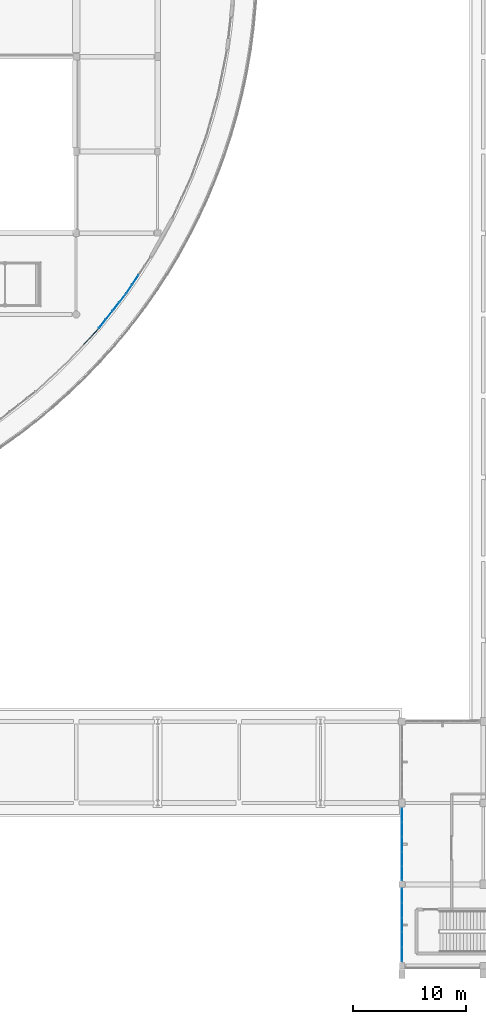
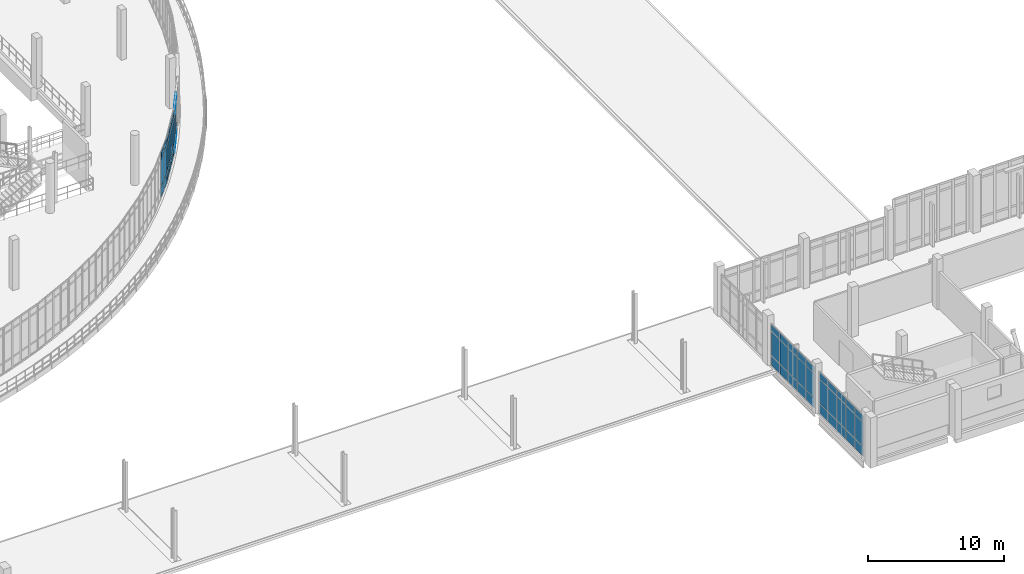
# One storey, part 98 of 134: 54 plates, 5 elements without a shape of their own.
"""IFC4 building model written with IfcOpenShell, lengths in metres."""

from ifc_helpers import new_model, si_unit, direction, frame, origin, origin_2d, place, context, subcontext, project, spatial, rectangle, extrude, material, layer, layer_set, type_object, element, aggregate, save


model = new_model("IFC4")

# Units and contexts
model_context = context("Model", 3, precision=1e-05, world=origin(), true_north=direction((0.0, 1.0)))
body_context = subcontext(model_context, "Body", "Model", "MODEL_VIEW")
ifc_project = project(units=[si_unit("LENGTHUNIT", "METRE"), si_unit("AREAUNIT", "SQUARE_METRE"), si_unit("VOLUMEUNIT", "CUBIC_METRE"), si_unit("PLANEANGLEUNIT", "RADIAN"), si_unit("MASSUNIT", "GRAM", prefix="KILO")], contexts=[model_context])

# Site, building, storey
site_placement = place(None, origin())
site = spatial("IfcSite", under=ifc_project, at=site_placement, CompositionType="ELEMENT")
building_placement = place(site_placement, origin())
building = spatial("IfcBuilding", under=site, at=building_placement, Name="Kalluvel Institute of Natural Sciences", CompositionType="ELEMENT")
storey_placement = place(building_placement, frame((0.0, 0.0, 5.39990234375)))
storey = spatial("IfcBuildingStorey", under=building, at=storey_placement, Name="L01", CompositionType="ELEMENT", Elevation=5.39990234375)

# Curtain wall, plates
ifc_material_1 = material(Name="Aluminium AW-6063 T6", Category="aluminium")
curtain_wall_type_1 = type_object("IfcCurtainWallType", Name="CW-SPAV-45", PredefinedType="USERDEFINED", material=ifc_material_1)
curtain_wall_1_placement = place(storey_placement, origin())
curtain_wall_1 = element("IfcCurtainWall", 1, at=curtain_wall_1_placement, inside=storey, type_object=curtain_wall_type_1, Name="L01 Gothic lancet curtain wall CWA-L01-X1004-Y144", ObjectType="UNITISED LANCET FACADE", PredefinedType="USERDEFINED")
ifc_material_2 = material(Name="Solar-Control Low-E Laminated Glass", Category="glass")
ifc_layer_1 = layer(ifc_material_2, 0.028076171875)
ifc_layer_set_1 = layer_set([ifc_layer_1], Name="Solar-Control Low-E Laminated Glass")
plate_type_1 = type_object("IfcPlateType", Name="CWP-DGU-28", PredefinedType="CURTAIN_PANEL", material=ifc_layer_set_1)
plate_1_placement = place(storey_placement, frame((100.39990234375, 15.018798828125, 0.065185546875), z_axis=(0.0, 0.0, 1.0), x_axis=(0.0, 1.0, 0.0)))
plate_1 = element("IfcPlate", 2, at=plate_1_placement, type_object=plate_type_1, Name="CW-10 panel 1.1", PredefinedType="CURTAIN_PANEL", context=body_context, shape_type="SweptSolid", body=[
    extrude(rectangle(XDim=1.20751953125, YDim=0.028076171875, at=origin_2d()), origin(), (0.0, 0.0, 1.0), 0.8525390625),
])
plate_2_placement = place(storey_placement, frame((100.39990234375, 15.018798828125, 0.982421875), z_axis=(0.0, 0.0, 1.0), x_axis=(0.0, 1.0, 0.0)))
plate_2 = element("IfcPlate", 3, at=plate_2_placement, type_object=plate_type_1, Name="CW-10 panel 1.2", PredefinedType="CURTAIN_PANEL", context=body_context, shape_type="SweptSolid", body=[
    extrude(rectangle(XDim=1.20751953125, YDim=0.028076171875, at=origin_2d()), origin(), (0.0, 0.0, 1.0), 2.135009765625),
])
plate_3_placement = place(storey_placement, frame((100.39990234375, 15.018798828125, 3.1826171875), z_axis=(0.0, 0.0, 1.0), x_axis=(0.0, 1.0, 0.0)))
plate_3 = element("IfcPlate", 4, at=plate_3_placement, type_object=plate_type_1, Name="CW-10 panel 1.3", PredefinedType="CURTAIN_PANEL", context=body_context, shape_type="SweptSolid", body=[
    extrude(rectangle(XDim=1.20751953125, YDim=0.028076171875, at=origin_2d()), origin(), (0.0, 0.0, 1.0), 0.552490234375),
])
plate_4_placement = place(storey_placement, frame((100.39990234375, 16.3076171875, 0.065185546875), z_axis=(0.0, 0.0, 1.0), x_axis=(0.0, 1.0, 0.0)))
plate_4 = element("IfcPlate", 5, at=plate_4_placement, type_object=plate_type_1, Name="CW-10 panel 2.1", PredefinedType="CURTAIN_PANEL", context=body_context, shape_type="SweptSolid", body=[
    extrude(rectangle(XDim=1.239990234375, YDim=0.028076171875, at=origin_2d()), origin(), (0.0, 0.0, 1.0), 0.8525390625),
])
plate_5_placement = place(storey_placement, frame((100.39990234375, 16.3076171875, 0.982421875), z_axis=(0.0, 0.0, 1.0), x_axis=(0.0, 1.0, 0.0)))
plate_5 = element("IfcPlate", 6, at=plate_5_placement, type_object=plate_type_1, Name="CW-10 panel 2.2", PredefinedType="CURTAIN_PANEL", context=body_context, shape_type="SweptSolid", body=[
    extrude(rectangle(XDim=1.239990234375, YDim=0.028076171875, at=origin_2d()), origin(), (0.0, 0.0, 1.0), 2.135009765625),
])
plate_6_placement = place(storey_placement, frame((100.39990234375, 16.3076171875, 3.1826171875), z_axis=(0.0, 0.0, 1.0), x_axis=(0.0, 1.0, 0.0)))
plate_6 = element("IfcPlate", 7, at=plate_6_placement, type_object=plate_type_1, Name="CW-10 panel 2.3", PredefinedType="CURTAIN_PANEL", context=body_context, shape_type="SweptSolid", body=[
    extrude(rectangle(XDim=1.239990234375, YDim=0.028076171875, at=origin_2d()), origin(), (0.0, 0.0, 1.0), 0.552490234375),
])
plate_7_placement = place(storey_placement, frame((100.39990234375, 17.612548828125, 0.065185546875), z_axis=(0.0, 0.0, 1.0), x_axis=(0.0, 1.0, 0.0)))
plate_7 = element("IfcPlate", 8, at=plate_7_placement, type_object=plate_type_1, Name="CW-10 panel 3.1", PredefinedType="CURTAIN_PANEL", context=body_context, shape_type="SweptSolid", body=[
    extrude(rectangle(XDim=1.239990234375, YDim=0.028076171875, at=origin_2d()), origin(), (0.0, 0.0, 1.0), 0.8525390625),
])
plate_8_placement = place(storey_placement, frame((100.39990234375, 17.612548828125, 0.982421875), z_axis=(0.0, 0.0, 1.0), x_axis=(0.0, 1.0, 0.0)))
plate_8 = element("IfcPlate", 9, at=plate_8_placement, type_object=plate_type_1, Name="CW-10 panel 3.2", PredefinedType="CURTAIN_PANEL", context=body_context, shape_type="SweptSolid", body=[
    extrude(rectangle(XDim=1.239990234375, YDim=0.028076171875, at=origin_2d()), origin(), (0.0, 0.0, 1.0), 2.135009765625),
])
plate_9_placement = place(storey_placement, frame((100.39990234375, 17.612548828125, 3.1826171875), z_axis=(0.0, 0.0, 1.0), x_axis=(0.0, 1.0, 0.0)))
plate_9 = element("IfcPlate", 10, at=plate_9_placement, type_object=plate_type_1, Name="CW-10 panel 3.3", PredefinedType="CURTAIN_PANEL", context=body_context, shape_type="SweptSolid", body=[
    extrude(rectangle(XDim=1.239990234375, YDim=0.028076171875, at=origin_2d()), origin(), (0.0, 0.0, 1.0), 0.552490234375),
])
plate_10_placement = place(storey_placement, frame((100.39990234375, 18.91748046875, 0.065185546875), z_axis=(0.0, 0.0, 1.0), x_axis=(0.0, 1.0, 0.0)))
plate_10 = element("IfcPlate", 11, at=plate_10_placement, type_object=plate_type_1, Name="CW-10 panel 4.1", PredefinedType="CURTAIN_PANEL", context=body_context, shape_type="SweptSolid", body=[
    extrude(rectangle(XDim=1.239990234375, YDim=0.028076171875, at=origin_2d()), origin(), (0.0, 0.0, 1.0), 0.8525390625),
])
plate_11_placement = place(storey_placement, frame((100.39990234375, 18.91748046875, 0.982421875), z_axis=(0.0, 0.0, 1.0), x_axis=(0.0, 1.0, 0.0)))
plate_11 = element("IfcPlate", 12, at=plate_11_placement, type_object=plate_type_1, Name="CW-10 panel 4.2", PredefinedType="CURTAIN_PANEL", context=body_context, shape_type="SweptSolid", body=[
    extrude(rectangle(XDim=1.239990234375, YDim=0.028076171875, at=origin_2d()), origin(), (0.0, 0.0, 1.0), 2.135009765625),
])
plate_12_placement = place(storey_placement, frame((100.39990234375, 18.91748046875, 3.1826171875), z_axis=(0.0, 0.0, 1.0), x_axis=(0.0, 1.0, 0.0)))
plate_12 = element("IfcPlate", 13, at=plate_12_placement, type_object=plate_type_1, Name="CW-10 panel 4.3", PredefinedType="CURTAIN_PANEL", context=body_context, shape_type="SweptSolid", body=[
    extrude(rectangle(XDim=1.239990234375, YDim=0.028076171875, at=origin_2d()), origin(), (0.0, 0.0, 1.0), 0.552490234375),
])
plate_13_placement = place(storey_placement, frame((100.39990234375, 20.206298828125, 0.065185546875), z_axis=(0.0, 0.0, 1.0), x_axis=(0.0, 1.0, 0.0)))
plate_13 = element("IfcPlate", 14, at=plate_13_placement, type_object=plate_type_1, Name="CW-10 panel 5.1", PredefinedType="CURTAIN_PANEL", context=body_context, shape_type="SweptSolid", body=[
    extrude(rectangle(XDim=1.20751953125, YDim=0.028076171875, at=origin_2d()), origin(), (0.0, 0.0, 1.0), 0.8525390625),
])
plate_14_placement = place(storey_placement, frame((100.39990234375, 20.206298828125, 0.982421875), z_axis=(0.0, 0.0, 1.0), x_axis=(0.0, 1.0, 0.0)))
plate_14 = element("IfcPlate", 15, at=plate_14_placement, type_object=plate_type_1, Name="CW-10 panel 5.2", PredefinedType="CURTAIN_PANEL", context=body_context, shape_type="SweptSolid", body=[
    extrude(rectangle(XDim=1.20751953125, YDim=0.028076171875, at=origin_2d()), origin(), (0.0, 0.0, 1.0), 2.135009765625),
])
plate_15_placement = place(storey_placement, frame((100.39990234375, 20.206298828125, 3.1826171875), z_axis=(0.0, 0.0, 1.0), x_axis=(0.0, 1.0, 0.0)))
plate_15 = element("IfcPlate", 16, at=plate_15_placement, type_object=plate_type_1, Name="CW-10 panel 5.3", PredefinedType="CURTAIN_PANEL", context=body_context, shape_type="SweptSolid", body=[
    extrude(rectangle(XDim=1.20751953125, YDim=0.028076171875, at=origin_2d()), origin(), (0.0, 0.0, 1.0), 0.552490234375),
])
aggregate(curtain_wall_1, [plate_1, plate_2, plate_3, plate_4, plate_5, plate_6, plate_7, plate_8, plate_9, plate_10, plate_11, plate_12, plate_13, plate_14, plate_15])

curtain_wall_2_placement = place(storey_placement, origin())
curtain_wall_2 = element("IfcCurtainWall", 17, at=curtain_wall_2_placement, inside=storey, type_object=curtain_wall_type_1, Name="L01 Gothic lancet curtain wall CWA-L01-X1004-Y215", ObjectType="UNITISED LANCET FACADE", PredefinedType="USERDEFINED")
plate_16_placement = place(storey_placement, frame((100.39990234375, 22.186279296875, 0.065185546875), z_axis=(0.0, 0.0, 1.0), x_axis=(0.0, 1.0, 0.0)))
plate_16 = element("IfcPlate", 18, at=plate_16_placement, type_object=plate_type_1, Name="CW-10 panel 1.1", PredefinedType="CURTAIN_PANEL", context=body_context, shape_type="SweptSolid", body=[
    extrude(rectangle(XDim=1.1923828125, YDim=0.028076171875, at=origin_2d()), origin(), (0.0, 0.0, 1.0), 0.8525390625),
])
plate_17_placement = place(storey_placement, frame((100.39990234375, 22.186279296875, 0.982421875), z_axis=(0.0, 0.0, 1.0), x_axis=(0.0, 1.0, 0.0)))
plate_17 = element("IfcPlate", 19, at=plate_17_placement, type_object=plate_type_1, Name="CW-10 panel 1.2", PredefinedType="CURTAIN_PANEL", context=body_context, shape_type="SweptSolid", body=[
    extrude(rectangle(XDim=1.1923828125, YDim=0.028076171875, at=origin_2d()), origin(), (0.0, 0.0, 1.0), 2.135009765625),
])
plate_18_placement = place(storey_placement, frame((100.39990234375, 22.186279296875, 3.1826171875), z_axis=(0.0, 0.0, 1.0), x_axis=(0.0, 1.0, 0.0)))
plate_18 = element("IfcPlate", 20, at=plate_18_placement, type_object=plate_type_1, Name="CW-10 panel 1.3", PredefinedType="CURTAIN_PANEL", context=body_context, shape_type="SweptSolid", body=[
    extrude(rectangle(XDim=1.1923828125, YDim=0.028076171875, at=origin_2d()), origin(), (0.0, 0.0, 1.0), 0.552490234375),
])
plate_19_placement = place(storey_placement, frame((100.39990234375, 23.4599609375, 0.065185546875), z_axis=(0.0, 0.0, 1.0), x_axis=(0.0, 1.0, 0.0)))
plate_19 = element("IfcPlate", 21, at=plate_19_placement, type_object=plate_type_1, Name="CW-10 panel 2.1", PredefinedType="CURTAIN_PANEL", context=body_context, shape_type="SweptSolid", body=[
    extrude(rectangle(XDim=1.22509765625, YDim=0.028076171875, at=origin_2d()), origin(), (0.0, 0.0, 1.0), 0.8525390625),
])
plate_20_placement = place(storey_placement, frame((100.39990234375, 23.4599609375, 0.982421875), z_axis=(0.0, 0.0, 1.0), x_axis=(0.0, 1.0, 0.0)))
plate_20 = element("IfcPlate", 22, at=plate_20_placement, type_object=plate_type_1, Name="CW-10 panel 2.2", PredefinedType="CURTAIN_PANEL", context=body_context, shape_type="SweptSolid", body=[
    extrude(rectangle(XDim=1.22509765625, YDim=0.028076171875, at=origin_2d()), origin(), (0.0, 0.0, 1.0), 2.135009765625),
])
plate_21_placement = place(storey_placement, frame((100.39990234375, 23.4599609375, 3.1826171875), z_axis=(0.0, 0.0, 1.0), x_axis=(0.0, 1.0, 0.0)))
plate_21 = element("IfcPlate", 23, at=plate_21_placement, type_object=plate_type_1, Name="CW-10 panel 2.3", PredefinedType="CURTAIN_PANEL", context=body_context, shape_type="SweptSolid", body=[
    extrude(rectangle(XDim=1.22509765625, YDim=0.028076171875, at=origin_2d()), origin(), (0.0, 0.0, 1.0), 0.552490234375),
])
plate_22_placement = place(storey_placement, frame((100.39990234375, 24.75, 0.065185546875), z_axis=(0.0, 0.0, 1.0), x_axis=(0.0, 1.0, 0.0)))
plate_22 = element("IfcPlate", 24, at=plate_22_placement, type_object=plate_type_1, Name="CW-10 panel 3.1", PredefinedType="CURTAIN_PANEL", context=body_context, shape_type="SweptSolid", body=[
    extrude(rectangle(XDim=1.22509765625, YDim=0.028076171875, at=origin_2d()), origin(), (0.0, 0.0, 1.0), 0.8525390625),
])
plate_23_placement = place(storey_placement, frame((100.39990234375, 24.75, 0.982421875), z_axis=(0.0, 0.0, 1.0), x_axis=(0.0, 1.0, 0.0)))
plate_23 = element("IfcPlate", 25, at=plate_23_placement, type_object=plate_type_1, Name="CW-10 panel 3.2", PredefinedType="CURTAIN_PANEL", context=body_context, shape_type="SweptSolid", body=[
    extrude(rectangle(XDim=1.22509765625, YDim=0.028076171875, at=origin_2d()), origin(), (0.0, 0.0, 1.0), 2.135009765625),
])
plate_24_placement = place(storey_placement, frame((100.39990234375, 24.75, 3.1826171875), z_axis=(0.0, 0.0, 1.0), x_axis=(0.0, 1.0, 0.0)))
plate_24 = element("IfcPlate", 26, at=plate_24_placement, type_object=plate_type_1, Name="CW-10 panel 3.3", PredefinedType="CURTAIN_PANEL", context=body_context, shape_type="SweptSolid", body=[
    extrude(rectangle(XDim=1.22509765625, YDim=0.028076171875, at=origin_2d()), origin(), (0.0, 0.0, 1.0), 0.552490234375),
])
plate_25_placement = place(storey_placement, frame((100.39990234375, 26.0400390625, 0.065185546875), z_axis=(0.0, 0.0, 1.0), x_axis=(0.0, 1.0, 0.0)))
plate_25 = element("IfcPlate", 27, at=plate_25_placement, type_object=plate_type_1, Name="CW-10 panel 4.1", PredefinedType="CURTAIN_PANEL", context=body_context, shape_type="SweptSolid", body=[
    extrude(rectangle(XDim=1.22509765625, YDim=0.028076171875, at=origin_2d()), origin(), (0.0, 0.0, 1.0), 0.8525390625),
])
plate_26_placement = place(storey_placement, frame((100.39990234375, 26.0400390625, 0.982421875), z_axis=(0.0, 0.0, 1.0), x_axis=(0.0, 1.0, 0.0)))
plate_26 = element("IfcPlate", 28, at=plate_26_placement, type_object=plate_type_1, Name="CW-10 panel 4.2", PredefinedType="CURTAIN_PANEL", context=body_context, shape_type="SweptSolid", body=[
    extrude(rectangle(XDim=1.22509765625, YDim=0.028076171875, at=origin_2d()), origin(), (0.0, 0.0, 1.0), 2.135009765625),
])
plate_27_placement = place(storey_placement, frame((100.39990234375, 26.0400390625, 3.1826171875), z_axis=(0.0, 0.0, 1.0), x_axis=(0.0, 1.0, 0.0)))
plate_27 = element("IfcPlate", 29, at=plate_27_placement, type_object=plate_type_1, Name="CW-10 panel 4.3", PredefinedType="CURTAIN_PANEL", context=body_context, shape_type="SweptSolid", body=[
    extrude(rectangle(XDim=1.22509765625, YDim=0.028076171875, at=origin_2d()), origin(), (0.0, 0.0, 1.0), 0.552490234375),
])
plate_28_placement = place(storey_placement, frame((100.39990234375, 27.313720703125, 0.065185546875), z_axis=(0.0, 0.0, 1.0), x_axis=(0.0, 1.0, 0.0)))
plate_28 = element("IfcPlate", 30, at=plate_28_placement, type_object=plate_type_1, Name="CW-10 panel 5.1", PredefinedType="CURTAIN_PANEL", context=body_context, shape_type="SweptSolid", body=[
    extrude(rectangle(XDim=1.1923828125, YDim=0.028076171875, at=origin_2d()), origin(), (0.0, 0.0, 1.0), 0.8525390625),
])
plate_29_placement = place(storey_placement, frame((100.39990234375, 27.313720703125, 0.982421875), z_axis=(0.0, 0.0, 1.0), x_axis=(0.0, 1.0, 0.0)))
plate_29 = element("IfcPlate", 31, at=plate_29_placement, type_object=plate_type_1, Name="CW-10 panel 5.2", PredefinedType="CURTAIN_PANEL", context=body_context, shape_type="SweptSolid", body=[
    extrude(rectangle(XDim=1.1923828125, YDim=0.028076171875, at=origin_2d()), origin(), (0.0, 0.0, 1.0), 2.135009765625),
])
plate_30_placement = place(storey_placement, frame((100.39990234375, 27.313720703125, 3.1826171875), z_axis=(0.0, 0.0, 1.0), x_axis=(0.0, 1.0, 0.0)))
plate_30 = element("IfcPlate", 32, at=plate_30_placement, type_object=plate_type_1, Name="CW-10 panel 5.3", PredefinedType="CURTAIN_PANEL", context=body_context, shape_type="SweptSolid", body=[
    extrude(rectangle(XDim=1.1923828125, YDim=0.028076171875, at=origin_2d()), origin(), (0.0, 0.0, 1.0), 0.552490234375),
])
aggregate(curtain_wall_2, [plate_16, plate_17, plate_18, plate_19, plate_20, plate_21, plate_22, plate_23, plate_24, plate_25, plate_26, plate_27, plate_28, plate_29, plate_30])

curtain_wall_type_2 = type_object("IfcCurtainWallType", Name="CW-ATR-ARC", PredefinedType="USERDEFINED", material=ifc_material_1)
curtain_wall_3_placement = place(storey_placement, origin())
curtain_wall_3 = element("IfcCurtainWall", 33, at=curtain_wall_3_placement, inside=storey, type_object=curtain_wall_type_2, Name="L01 Gothic lancet curtain wall CWA-L01-X709-Y675", ObjectType="UNITISED LANCET FACADE", PredefinedType="USERDEFINED")
ifc_layer_2 = layer(ifc_material_2, 0.035888671875)
ifc_layer_set_2 = layer_set([ifc_layer_2], Name="Solar-Control Low-E Laminated Glass")
plate_type_2 = type_object("IfcPlateType", Name="CWP-DGU-36", PredefinedType="CURTAIN_PANEL", material=ifc_layer_set_2)
plate_31_placement = place(storey_placement, frame((72.583984375, 69.280029296875, 0.06005859375), z_axis=(0.0, 0.0, 1.0), x_axis=(0.678795651006, 0.734327218735, 0.0)))
plate_31 = element("IfcPlate", 34, at=plate_31_placement, type_object=plate_type_2, Name="CW-05 panel 3.1", PredefinedType="CURTAIN_PANEL", context=body_context, shape_type="SweptSolid", body=[
    extrude(rectangle(XDim=0.92041015625, YDim=0.035888671875, at=origin_2d()), origin(), (0.0, 0.0, 1.0), 0.860107421875),
])
plate_32_placement = place(storey_placement, frame((72.583984375, 69.280029296875, 0.97998046875), z_axis=(0.0, 0.0, 1.0), x_axis=(0.678795651006, 0.734327218735, 0.0)))
plate_32 = element("IfcPlate", 35, at=plate_32_placement, type_object=plate_type_2, Name="CW-05 panel 3.2", PredefinedType="CURTAIN_PANEL", context=body_context, shape_type="SweptSolid", body=[
    extrude(rectangle(XDim=0.92041015625, YDim=0.035888671875, at=origin_2d()), origin(), (0.0, 0.0, 1.0), 2.489990234375),
])
plate_33_placement = place(storey_placement, frame((72.583984375, 69.280029296875, 3.530029296875), z_axis=(0.0, 0.0, 1.0), x_axis=(0.678795651006, 0.734327218735, 0.0)))
plate_33 = element("IfcPlate", 36, at=plate_33_placement, type_object=plate_type_2, Name="CW-05 panel 3.3", PredefinedType="CURTAIN_PANEL", context=body_context, shape_type="SweptSolid", body=[
    extrude(rectangle(XDim=0.92041015625, YDim=0.035888671875, at=origin_2d()), origin(), (0.0, 0.0, 1.0), 0.56005859375),
])
plate_34_placement = place(storey_placement, frame((73.2392578125, 69.989013671875, 0.06005859375), z_axis=(0.0, 0.0, 1.0), x_axis=(0.678795651006, 0.734327218735, 0.0)))
plate_34 = element("IfcPlate", 37, at=plate_34_placement, type_object=plate_type_2, Name="CW-05 panel 4.1", PredefinedType="CURTAIN_PANEL", context=body_context, shape_type="SweptSolid", body=[
    extrude(rectangle(XDim=0.890625, YDim=0.035888671875, at=origin_2d()), origin(), (0.0, 0.0, 1.0), 0.860107421875),
])
plate_35_placement = place(storey_placement, frame((73.2392578125, 69.989013671875, 0.97998046875), z_axis=(0.0, 0.0, 1.0), x_axis=(0.678795651006, 0.734327218735, 0.0)))
plate_35 = element("IfcPlate", 38, at=plate_35_placement, type_object=plate_type_2, Name="CW-05 panel 4.2", PredefinedType="CURTAIN_PANEL", context=body_context, shape_type="SweptSolid", body=[
    extrude(rectangle(XDim=0.890625, YDim=0.035888671875, at=origin_2d()), origin(), (0.0, 0.0, 1.0), 2.489990234375),
])
plate_36_placement = place(storey_placement, frame((73.2392578125, 69.989013671875, 3.530029296875), z_axis=(0.0, 0.0, 1.0), x_axis=(0.678795651006, 0.734327218735, 0.0)))
plate_36 = element("IfcPlate", 39, at=plate_36_placement, type_object=plate_type_2, Name="CW-05 panel 4.3", PredefinedType="CURTAIN_PANEL", context=body_context, shape_type="SweptSolid", body=[
    extrude(rectangle(XDim=0.890625, YDim=0.035888671875, at=origin_2d()), origin(), (0.0, 0.0, 1.0), 0.56005859375),
])
aggregate(curtain_wall_3, [plate_31, plate_32, plate_33, plate_34, plate_35, plate_36])

curtain_wall_4_placement = place(storey_placement, origin())
curtain_wall_4 = element("IfcCurtainWall", 40, at=curtain_wall_4_placement, inside=storey, type_object=curtain_wall_type_2, Name="L01 Gothic lancet curtain wall CWA-L01-X736-Y704", ObjectType="UNITISED LANCET FACADE", PredefinedType="USERDEFINED")
plate_37_placement = place(storey_placement, frame((73.89501953125, 70.7568359375, 0.06005859375), z_axis=(0.0, 0.0, 1.0), x_axis=(0.619097688866, 0.785313982838, 0.0)))
plate_37 = element("IfcPlate", 41, at=plate_37_placement, type_object=plate_type_2, Name="CW-05 panel 1.1", PredefinedType="CURTAIN_PANEL", context=body_context, shape_type="SweptSolid", body=[
    extrude(rectangle(XDim=0.890380859375, YDim=0.035888671875, at=origin_2d()), origin(), (0.0, 0.0, 1.0), 0.860107421875),
])
plate_38_placement = place(storey_placement, frame((73.89501953125, 70.7568359375, 0.97998046875), z_axis=(0.0, 0.0, 1.0), x_axis=(0.619097688866, 0.785313982838, 0.0)))
plate_38 = element("IfcPlate", 42, at=plate_38_placement, type_object=plate_type_2, Name="CW-05 panel 1.2", PredefinedType="CURTAIN_PANEL", context=body_context, shape_type="SweptSolid", body=[
    extrude(rectangle(XDim=0.890380859375, YDim=0.035888671875, at=origin_2d()), origin(), (0.0, 0.0, 1.0), 2.489990234375),
])
plate_39_placement = place(storey_placement, frame((73.89501953125, 70.7568359375, 3.530029296875), z_axis=(0.0, 0.0, 1.0), x_axis=(0.619097688866, 0.785313982838, 0.0)))
plate_39 = element("IfcPlate", 43, at=plate_39_placement, type_object=plate_type_2, Name="CW-05 panel 1.3", PredefinedType="CURTAIN_PANEL", context=body_context, shape_type="SweptSolid", body=[
    extrude(rectangle(XDim=0.890380859375, YDim=0.035888671875, at=origin_2d()), origin(), (0.0, 0.0, 1.0), 0.56005859375),
])
plate_40_placement = place(storey_placement, frame((74.492919921875, 71.51513671875, 0.06005859375), z_axis=(0.0, 0.0, 1.0), x_axis=(0.619097688866, 0.785313982838, 0.0)))
plate_40 = element("IfcPlate", 44, at=plate_40_placement, type_object=plate_type_2, Name="CW-05 panel 2.1", PredefinedType="CURTAIN_PANEL", context=body_context, shape_type="SweptSolid", body=[
    extrude(rectangle(XDim=0.92041015625, YDim=0.035888671875, at=origin_2d()), origin(), (0.0, 0.0, 1.0), 0.860107421875),
])
plate_41_placement = place(storey_placement, frame((74.492919921875, 71.51513671875, 0.97998046875), z_axis=(0.0, 0.0, 1.0), x_axis=(0.619097688866, 0.785313982838, 0.0)))
plate_41 = element("IfcPlate", 45, at=plate_41_placement, type_object=plate_type_2, Name="CW-05 panel 2.2", PredefinedType="CURTAIN_PANEL", context=body_context, shape_type="SweptSolid", body=[
    extrude(rectangle(XDim=0.92041015625, YDim=0.035888671875, at=origin_2d()), origin(), (0.0, 0.0, 1.0), 2.489990234375),
])
plate_42_placement = place(storey_placement, frame((74.492919921875, 71.51513671875, 3.530029296875), z_axis=(0.0, 0.0, 1.0), x_axis=(0.619097688866, 0.785313982838, 0.0)))
plate_42 = element("IfcPlate", 46, at=plate_42_placement, type_object=plate_type_2, Name="CW-05 panel 2.3", PredefinedType="CURTAIN_PANEL", context=body_context, shape_type="SweptSolid", body=[
    extrude(rectangle(XDim=0.92041015625, YDim=0.035888671875, at=origin_2d()), origin(), (0.0, 0.0, 1.0), 0.56005859375),
])
plate_43_placement = place(storey_placement, frame((75.099853515625, 72.28515625, 0.06005859375), z_axis=(0.0, 0.0, 1.0), x_axis=(0.619097688866, 0.785313982838, 0.0)))
plate_43 = element("IfcPlate", 47, at=plate_43_placement, type_object=plate_type_2, Name="CW-05 panel 3.1", PredefinedType="CURTAIN_PANEL", context=body_context, shape_type="SweptSolid", body=[
    extrude(rectangle(XDim=0.92041015625, YDim=0.035888671875, at=origin_2d()), origin(), (0.0, 0.0, 1.0), 0.860107421875),
])
plate_44_placement = place(storey_placement, frame((75.099853515625, 72.28515625, 0.97998046875), z_axis=(0.0, 0.0, 1.0), x_axis=(0.619097688866, 0.785313982838, 0.0)))
plate_44 = element("IfcPlate", 48, at=plate_44_placement, type_object=plate_type_2, Name="CW-05 panel 3.2", PredefinedType="CURTAIN_PANEL", context=body_context, shape_type="SweptSolid", body=[
    extrude(rectangle(XDim=0.92041015625, YDim=0.035888671875, at=origin_2d()), origin(), (0.0, 0.0, 1.0), 2.489990234375),
])
plate_45_placement = place(storey_placement, frame((75.099853515625, 72.28515625, 3.530029296875), z_axis=(0.0, 0.0, 1.0), x_axis=(0.619097688866, 0.785313982838, 0.0)))
plate_45 = element("IfcPlate", 49, at=plate_45_placement, type_object=plate_type_2, Name="CW-05 panel 3.3", PredefinedType="CURTAIN_PANEL", context=body_context, shape_type="SweptSolid", body=[
    extrude(rectangle(XDim=0.92041015625, YDim=0.035888671875, at=origin_2d()), origin(), (0.0, 0.0, 1.0), 0.56005859375),
])
plate_46_placement = place(storey_placement, frame((75.697509765625, 73.043212890625, 0.06005859375), z_axis=(0.0, 0.0, 1.0), x_axis=(0.619097688866, 0.785313982838, 0.0)))
plate_46 = element("IfcPlate", 50, at=plate_46_placement, type_object=plate_type_2, Name="CW-05 panel 4.1", PredefinedType="CURTAIN_PANEL", context=body_context, shape_type="SweptSolid", body=[
    extrude(rectangle(XDim=0.890380859375, YDim=0.035888671875, at=origin_2d()), origin(), (0.0, 0.0, 1.0), 0.860107421875),
])
plate_47_placement = place(storey_placement, frame((75.697509765625, 73.043212890625, 0.97998046875), z_axis=(0.0, 0.0, 1.0), x_axis=(0.619097688866, 0.785313982838, 0.0)))
plate_47 = element("IfcPlate", 51, at=plate_47_placement, type_object=plate_type_2, Name="CW-05 panel 4.2", PredefinedType="CURTAIN_PANEL", context=body_context, shape_type="SweptSolid", body=[
    extrude(rectangle(XDim=0.890380859375, YDim=0.035888671875, at=origin_2d()), origin(), (0.0, 0.0, 1.0), 2.489990234375),
])
plate_48_placement = place(storey_placement, frame((75.697509765625, 73.043212890625, 3.530029296875), z_axis=(0.0, 0.0, 1.0), x_axis=(0.619097688866, 0.785313982838, 0.0)))
plate_48 = element("IfcPlate", 52, at=plate_48_placement, type_object=plate_type_2, Name="CW-05 panel 4.3", PredefinedType="CURTAIN_PANEL", context=body_context, shape_type="SweptSolid", body=[
    extrude(rectangle(XDim=0.890380859375, YDim=0.035888671875, at=origin_2d()), origin(), (0.0, 0.0, 1.0), 0.56005859375),
])
aggregate(curtain_wall_4, [plate_37, plate_38, plate_39, plate_40, plate_41, plate_42, plate_43, plate_44, plate_45, plate_46, plate_47, plate_48])

curtain_wall_5_placement = place(storey_placement, origin())
curtain_wall_5 = element("IfcCurtainWall", 53, at=curtain_wall_5_placement, inside=storey, type_object=curtain_wall_type_2, Name="L01 Gothic lancet curtain wall CWA-L01-X760-Y734", ObjectType="UNITISED LANCET FACADE", PredefinedType="USERDEFINED")
plate_49_placement = place(storey_placement, frame((76.291015625, 73.860107421875, 0.06005859375), z_axis=(0.0, 0.0, 1.0), x_axis=(0.555570699054, 0.831469300908, 0.0)))
plate_49 = element("IfcPlate", 54, at=plate_49_placement, type_object=plate_type_2, Name="CW-05 panel 1.1", PredefinedType="CURTAIN_PANEL", context=body_context, shape_type="SweptSolid", body=[
    extrude(rectangle(XDim=0.890625, YDim=0.035888671875, at=origin_2d()), origin(), (0.0, 0.0, 1.0), 0.860107421875),
])
plate_50_placement = place(storey_placement, frame((76.291015625, 73.860107421875, 0.97998046875), z_axis=(0.0, 0.0, 1.0), x_axis=(0.555570699054, 0.831469300908, 0.0)))
plate_50 = element("IfcPlate", 55, at=plate_50_placement, type_object=plate_type_2, Name="CW-05 panel 1.2", PredefinedType="CURTAIN_PANEL", context=body_context, shape_type="SweptSolid", body=[
    extrude(rectangle(XDim=0.890625, YDim=0.035888671875, at=origin_2d()), origin(), (0.0, 0.0, 1.0), 2.489990234375),
])
plate_51_placement = place(storey_placement, frame((76.291015625, 73.860107421875, 3.530029296875), z_axis=(0.0, 0.0, 1.0), x_axis=(0.555570699054, 0.831469300908, 0.0)))
plate_51 = element("IfcPlate", 56, at=plate_51_placement, type_object=plate_type_2, Name="CW-05 panel 1.3", PredefinedType="CURTAIN_PANEL", context=body_context, shape_type="SweptSolid", body=[
    extrude(rectangle(XDim=0.890625, YDim=0.035888671875, at=origin_2d()), origin(), (0.0, 0.0, 1.0), 0.56005859375),
])
plate_52_placement = place(storey_placement, frame((76.82763671875, 74.6630859375, 0.06005859375), z_axis=(0.0, 0.0, 1.0), x_axis=(0.555570699054, 0.831469300908, 0.0)))
plate_52 = element("IfcPlate", 57, at=plate_52_placement, type_object=plate_type_2, Name="CW-05 panel 2.1", PredefinedType="CURTAIN_PANEL", context=body_context, shape_type="SweptSolid", body=[
    extrude(rectangle(XDim=0.92041015625, YDim=0.035888671875, at=origin_2d()), origin(), (0.0, 0.0, 1.0), 0.860107421875),
])
plate_53_placement = place(storey_placement, frame((76.82763671875, 74.6630859375, 0.97998046875), z_axis=(0.0, 0.0, 1.0), x_axis=(0.555570699054, 0.831469300908, 0.0)))
plate_53 = element("IfcPlate", 58, at=plate_53_placement, type_object=plate_type_2, Name="CW-05 panel 2.2", PredefinedType="CURTAIN_PANEL", context=body_context, shape_type="SweptSolid", body=[
    extrude(rectangle(XDim=0.92041015625, YDim=0.035888671875, at=origin_2d()), origin(), (0.0, 0.0, 1.0), 2.489990234375),
])
plate_54_placement = place(storey_placement, frame((76.82763671875, 74.6630859375, 3.530029296875), z_axis=(0.0, 0.0, 1.0), x_axis=(0.555570699054, 0.831469300908, 0.0)))
plate_54 = element("IfcPlate", 59, at=plate_54_placement, type_object=plate_type_2, Name="CW-05 panel 2.3", PredefinedType="CURTAIN_PANEL", context=body_context, shape_type="SweptSolid", body=[
    extrude(rectangle(XDim=0.92041015625, YDim=0.035888671875, at=origin_2d()), origin(), (0.0, 0.0, 1.0), 0.56005859375),
])
aggregate(curtain_wall_5, [plate_49, plate_50, plate_51, plate_52, plate_53, plate_54])

save(model, "model.ifc")
